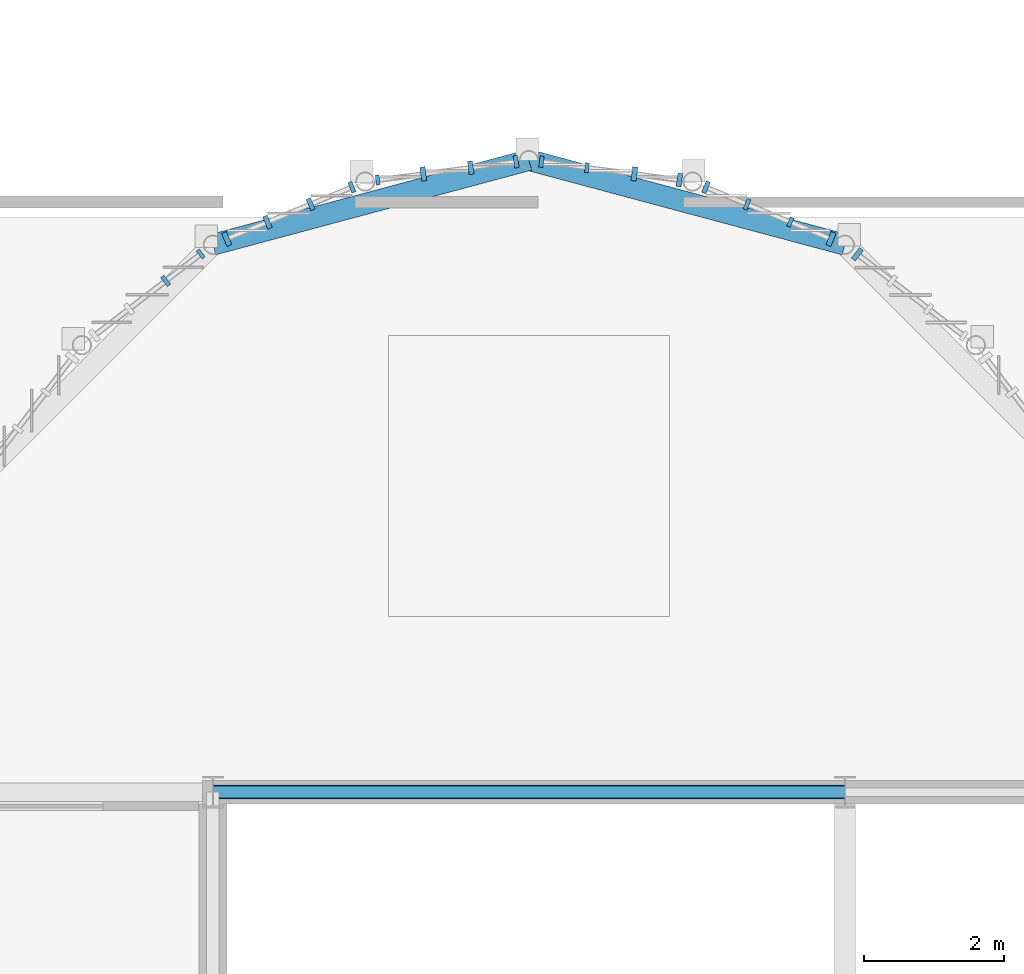
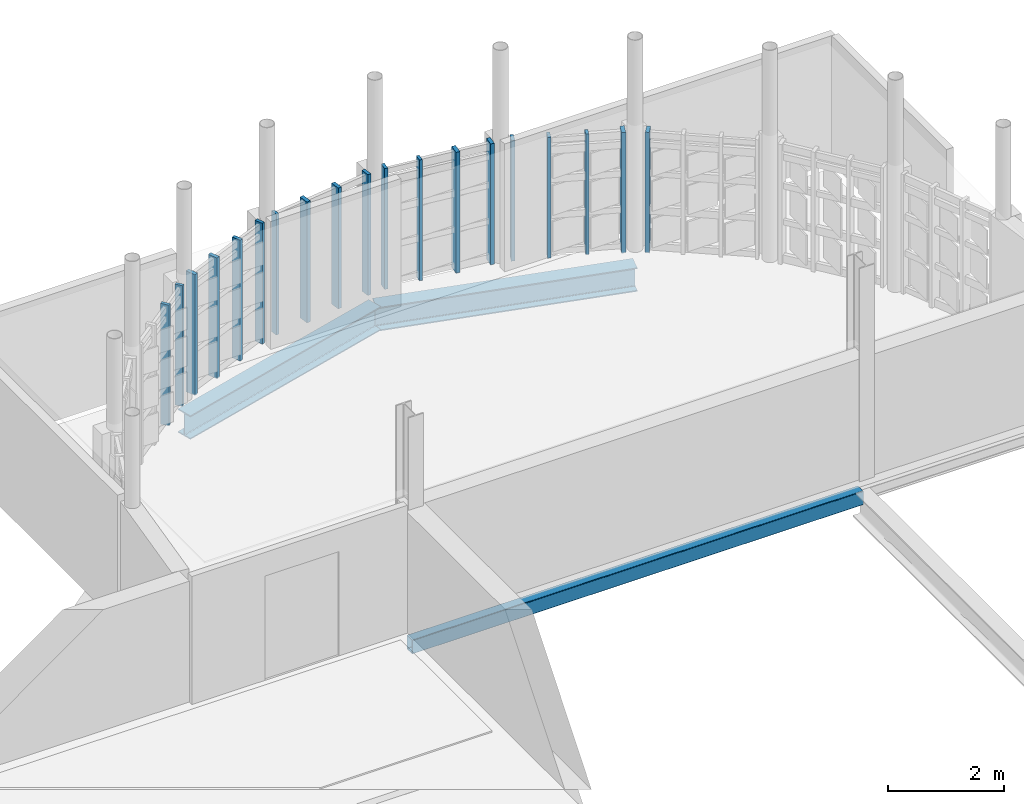
# One storey, part 13 of 44: 19 members, 3 beams, 6 elements without a shape of their own.
"""IFC4 building model written with IfcOpenShell, lengths in metres."""

from ifc_helpers import new_model, si_unit, direction, frame, origin, origin_2d, place, context, subcontext, project, spatial, rectangle, hollow_rectangle, i_section, extrude, material, material_profile, profile_set, type_object, element, aggregate, save


model = new_model("IFC4")

# Units and contexts
model_context = context("Model", 3, precision=1e-05, world=origin(), true_north=direction((0.0, 1.0)))
body_context = subcontext(model_context, "Body", "Model", "MODEL_VIEW")
ifc_project = project(units=[si_unit("LENGTHUNIT", "METRE"), si_unit("AREAUNIT", "SQUARE_METRE"), si_unit("VOLUMEUNIT", "CUBIC_METRE"), si_unit("PLANEANGLEUNIT", "RADIAN"), si_unit("MASSUNIT", "GRAM", prefix="KILO")], contexts=[model_context])

# Site, building, storey
site_placement = place(None, origin())
site = spatial("IfcSite", under=ifc_project, at=site_placement, CompositionType="ELEMENT")
building_placement = place(site_placement, origin())
building = spatial("IfcBuilding", under=site, at=building_placement, Name="Serraforn Aerial Cableway Station", CompositionType="ELEMENT")
storey_placement = place(building_placement, frame((0.0, 0.0, 13.800048828125)))
storey = spatial("IfcBuildingStorey", under=building, at=storey_placement, Name="L03", CompositionType="ELEMENT", Elevation=13.800048828125)

# Beams
ifc_material_1 = material(Name="Steel S355J2", Category="steel")
ifc_material_profile_1 = material_profile(ifc_material_1, i_section(OverallWidth=0.300048828125, OverallDepth=0.5, WebThickness=0.011962890625, FlangeThickness=0.02294921875, FilletRadius=0.027099609375, at=origin_2d()), Name="HEA 500")
ifc_profile_set_1 = profile_set([ifc_material_profile_1], Name="Steel S355J2")
beam_type_1 = type_object("IfcBeamType", Name="BM-ST-HEA500", PredefinedType="USERDEFINED", material=ifc_profile_set_1)
for number, where, z_axis, x_axis, name in (
    (1, (54.60009765625, 49.794189453125, -0.545166015625), (0.965923723713, 0.258826891896, 0.0), (-0.258826891896, 0.965923723713, 0.0), "Apse Ring Girder L03-3"),
    (2, (59.10009765625, 51.0, -0.545166015625), (0.965923723713, -0.258826891896, 0.0), (0.258826891896, 0.965923723713, 0.0), "Apse Ring Girder L03-4"),
):
    element("IfcBeam", number, at=place(storey_placement, frame(where, z_axis=z_axis, x_axis=x_axis)), inside=storey, type_object=beam_type_1, Name=name, ObjectType="GIRDER", PredefinedType="USERDEFINED", context=body_context, shape_type="SweptSolid", body=[
        extrude(i_section(OverallWidth=0.300048828125, OverallDepth=0.5, WebThickness=0.011962890625, FlangeThickness=0.02294921875, FilletRadius=0.027099609375, at=origin_2d()), origin(), (0.0, 0.0, 1.0), 4.65869140625),
    ])
ifc_material_profile_2 = material_profile(ifc_material_1, hollow_rectangle(XDim=0.199951171875, YDim=0.300048828125, WallThickness=0.012451171875, InnerFilletRadius=0.012451171875, OuterFilletRadius=0.02490234375, at=origin_2d()), Name="RHS 300x200x12.5")
ifc_profile_set_2 = profile_set([ifc_material_profile_2], Name="Steel S355J2")
beam_type_2 = type_object("IfcBeamType", Name="BM-ST-RHS300", PredefinedType="SPANDREL", material=ifc_profile_set_2)
beam_placement = place(storey_placement, frame((54.60009765625, 42.0, -0.469970703125), z_axis=(1.0, 0.0, 0.0), x_axis=(0.0, 1.0, 0.0)))
element("IfcBeam", 3, at=beam_placement, inside=storey, type_object=beam_type_2, Name="Grid Girder X CV L03 Y4-4", PredefinedType="SPANDREL", context=body_context, shape_type="SweptSolid", body=[
    extrude(hollow_rectangle(XDim=0.199951171875, YDim=0.300048828125, WallThickness=0.012451171875, InnerFilletRadius=0.012451171875, OuterFilletRadius=0.02490234375, at=origin_2d()), origin(), (0.0, 0.0, 1.0), 9.0),
])

# Curtain wall, member
ifc_material_2 = material(Name="Anodised bronze unitised curtain wall")
curtain_wall_type_1 = type_object("IfcCurtainWallType", Name="CW-SYS-23", PredefinedType="USERDEFINED", material=ifc_material_2)
curtain_wall_1_placement = place(storey_placement, origin())
curtain_wall_1 = element("IfcCurtainWall", 4, at=curtain_wall_1_placement, inside=storey, type_object=curtain_wall_type_1, Name="Unitised Curtain Wall CW-AP-L03-R4", ObjectType="UNITISED CURTAIN WALL", PredefinedType="USERDEFINED")
ifc_material_3 = material(Name="Anodised bronze extruded aluminium", Category="aluminium")
ifc_material_profile_3 = material_profile(ifc_material_3, rectangle(XDim=0.054931640625, YDim=0.139892578125, at=origin_2d()), Name="CW MULLION 55x140")
ifc_profile_set_3 = profile_set([ifc_material_profile_3], Name="Anodised bronze extruded aluminium")
member_type_1 = type_object("IfcMemberType", Name="CW-MUL-1", PredefinedType="MULLION", material=ifc_profile_set_3)
member_1_placement = place(storey_placement, frame((54.427978515625, 49.662109375, 0.0), z_axis=(0.0, 0.0, 1.0), x_axis=(-0.793362901671, -0.608748968173, 0.0)))
member_1 = element("IfcMember", 5, at=member_1_placement, type_object=member_type_1, Name="Curtain Wall Mullion CW-AP-L03-R4-M1", PredefinedType="MULLION", context=body_context, shape_type="SweptSolid", body=[
    extrude(rectangle(XDim=0.054931640625, YDim=0.139892578125, at=origin_2d()), origin(), (0.0, 0.0, 1.0), 2.550048828125),
])

curtain_wall_type_2 = type_object("IfcCurtainWallType", Name="CW-SYS-25", PredefinedType="USERDEFINED", material=ifc_material_2)
curtain_wall_2_placement = place(storey_placement, origin())
curtain_wall_2 = element("IfcCurtainWall", 6, at=curtain_wall_2_placement, inside=storey, type_object=curtain_wall_type_2, Name="Unitised Curtain Wall CW-AP-L03-R6", ObjectType="UNITISED CURTAIN WALL", PredefinedType="USERDEFINED")
member_2_placement = place(storey_placement, frame((56.94775390625, 50.716552734375, 0.0), z_axis=(0.0, 0.0, 1.0), x_axis=(-0.991438659417, -0.130573292114, 0.0)))
member_2 = element("IfcMember", 7, at=member_2_placement, type_object=member_type_1, Name="Curtain Wall Mullion CW-AP-L03-R6-M4", PredefinedType="MULLION", context=body_context, shape_type="SweptSolid", body=[
    extrude(rectangle(XDim=0.054931640625, YDim=0.139892578125, at=origin_2d()), origin(), (0.0, 0.0, 1.0), 2.550048828125),
])

curtain_wall_type_3 = type_object("IfcCurtainWallType", Name="CW-SYS-26", PredefinedType="USERDEFINED", material=ifc_material_2)
curtain_wall_3_placement = place(storey_placement, origin())
curtain_wall_3 = element("IfcCurtainWall", 8, at=curtain_wall_3_placement, inside=storey, type_object=curtain_wall_type_3, Name="Unitised Curtain Wall CW-AP-L03-R7", ObjectType="UNITISED CURTAIN WALL", PredefinedType="USERDEFINED")
member_3_placement = place(storey_placement, frame((59.926513671875, 50.89111328125, 0.0), z_axis=(0.0, 0.0, 1.0), x_axis=(-0.991438659417, 0.130573292114, 0.0)))
member_3 = element("IfcMember", 9, at=member_3_placement, type_object=member_type_1, Name="Curtain Wall Mullion CW-AP-L03-R7-M3", PredefinedType="MULLION", context=body_context, shape_type="SweptSolid", body=[
    extrude(rectangle(XDim=0.054931640625, YDim=0.139892578125, at=origin_2d()), origin(), (0.0, 0.0, 1.0), 2.550048828125),
])

curtain_wall_type_4 = type_object("IfcCurtainWallType", Name="CW-SYS-27", PredefinedType="USERDEFINED", material=ifc_material_2)
curtain_wall_4_placement = place(storey_placement, origin())
curtain_wall_4 = element("IfcCurtainWall", 10, at=curtain_wall_4_placement, inside=storey, type_object=curtain_wall_type_4, Name="Unitised Curtain Wall CW-AP-L03-R8", ObjectType="UNITISED CURTAIN WALL", PredefinedType="USERDEFINED")
member_4_placement = place(storey_placement, frame((62.822265625, 50.116455078125, 0.0), z_axis=(0.0, 0.0, 1.0), x_axis=(-0.923886823721, 0.382665829353, 0.0)))
member_4 = element("IfcMember", 11, at=member_4_placement, type_object=member_type_1, Name="Curtain Wall Mullion CW-AP-L03-R8-M2", PredefinedType="MULLION", context=body_context, shape_type="SweptSolid", body=[
    extrude(rectangle(XDim=0.054931640625, YDim=0.139892578125, at=origin_2d()), origin(), (0.0, 0.0, 1.0), 2.550048828125),
])

# Member
ifc_material_profile_4 = material_profile(ifc_material_3, rectangle(XDim=0.06005859375, YDim=0.159912109375, at=origin_2d()), Name="CW MULLION 60x160")
ifc_profile_set_4 = profile_set([ifc_material_profile_4], Name="Anodised bronze extruded aluminium")
member_type_2 = type_object("IfcMemberType", Name="CW-MUL-2", PredefinedType="MULLION", material=ifc_profile_set_4)
member_5_placement = place(storey_placement, frame((53.9287109375, 49.279052734375, 0.0), z_axis=(0.0, 0.0, 1.0), x_axis=(-0.793362901671, -0.608748968173, 0.0)))
member_5 = element("IfcMember", 12, at=member_5_placement, type_object=member_type_2, Name="Curtain Wall Mullion CW-AP-L03-R4-M2", PredefinedType="MULLION", context=body_context, shape_type="SweptSolid", body=[
    extrude(rectangle(XDim=0.06005859375, YDim=0.159912109375, at=origin_2d()), origin(), (0.0, 0.0, 1.0), 2.550048828125),
])

aggregate(curtain_wall_1, [member_1, member_5])

# Curtain wall, member
curtain_wall_type_5 = type_object("IfcCurtainWallType", Name="CW-SYS-24", PredefinedType="USERDEFINED", material=ifc_material_2)
curtain_wall_5_placement = place(storey_placement, origin())
curtain_wall_5 = element("IfcCurtainWall", 13, at=curtain_wall_5_placement, inside=storey, type_object=curtain_wall_type_5, Name="Unitised Curtain Wall CW-AP-L03-R5", ObjectType="UNITISED CURTAIN WALL", PredefinedType="USERDEFINED")
member_6_placement = place(storey_placement, frame((56.580078125, 50.6142578125, 0.0), z_axis=(0.0, 0.0, 1.0), x_axis=(-0.923886823721, -0.382665829353, 0.0)))
member_6 = element("IfcMember", 14, at=member_6_placement, type_object=member_type_2, Name="Curtain Wall Mullion CW-AP-L03-R5-M1", PredefinedType="MULLION", context=body_context, shape_type="SweptSolid", body=[
    extrude(rectangle(XDim=0.06005859375, YDim=0.159912109375, at=origin_2d()), origin(), (0.0, 0.0, 1.0), 2.550048828125),
])

# Member
member_7_placement = place(storey_placement, frame((59.279541015625, 50.976318359375, 0.0), z_axis=(0.0, 0.0, 1.0), x_axis=(-0.991438659417, 0.130573292114, 0.0)))
member_7 = element("IfcMember", 15, at=member_7_placement, type_object=member_type_2, Name="Curtain Wall Mullion CW-AP-L03-R7-M4", PredefinedType="MULLION", context=body_context, shape_type="SweptSolid", body=[
    extrude(rectangle(XDim=0.06005859375, YDim=0.159912109375, at=origin_2d()), origin(), (0.0, 0.0, 1.0), 2.550048828125),
])

member_8_placement = place(storey_placement, frame((62.207275390625, 50.37109375, 0.0), z_axis=(0.0, 0.0, 1.0), x_axis=(-0.923886823721, 0.382665829353, 0.0)))
member_8 = element("IfcMember", 16, at=member_8_placement, type_object=member_type_2, Name="Curtain Wall Mullion CW-AP-L03-R8-M3", PredefinedType="MULLION", context=body_context, shape_type="SweptSolid", body=[
    extrude(rectangle(XDim=0.06005859375, YDim=0.159912109375, at=origin_2d()), origin(), (0.0, 0.0, 1.0), 2.550048828125),
])

ifc_material_profile_5 = material_profile(ifc_material_3, rectangle(XDim=0.06494140625, YDim=0.175048828125, at=origin_2d()), Name="CW MULLION 65x175")
ifc_profile_set_5 = profile_set([ifc_material_profile_5], Name="Anodised bronze extruded aluminium")
member_type_3 = type_object("IfcMemberType", Name="CW-MUL-3", PredefinedType="MULLION", material=ifc_profile_set_5)
member_9_placement = place(storey_placement, frame((55.992919921875, 50.37109375, 0.0), z_axis=(0.0, 0.0, 1.0), x_axis=(-0.923886823721, -0.382665829353, 0.0)))
member_9 = element("IfcMember", 17, at=member_9_placement, type_object=member_type_3, Name="Curtain Wall Mullion CW-AP-L03-R5-M2", PredefinedType="MULLION", context=body_context, shape_type="SweptSolid", body=[
    extrude(rectangle(XDim=0.06494140625, YDim=0.175048828125, at=origin_2d()), origin(), (0.0, 0.0, 1.0), 2.550048828125),
])

member_10_placement = place(storey_placement, frame((58.91796875, 50.97607421875, 0.0), z_axis=(0.0, 0.0, 1.0), x_axis=(-0.991438659417, -0.130573292114, 0.0)))
member_10 = element("IfcMember", 18, at=member_10_placement, type_object=member_type_3, Name="Curtain Wall Mullion CW-AP-L03-R6-M1", PredefinedType="MULLION", context=body_context, shape_type="SweptSolid", body=[
    extrude(rectangle(XDim=0.06494140625, YDim=0.175048828125, at=origin_2d()), origin(), (0.0, 0.0, 1.0), 2.550048828125),
])

member_11_placement = place(storey_placement, frame((61.622314453125, 50.61328125, 0.0), z_axis=(0.0, 0.0, 1.0), x_axis=(-0.923886823721, 0.382665829353, 0.0)))
member_11 = element("IfcMember", 19, at=member_11_placement, type_object=member_type_3, Name="Curtain Wall Mullion CW-AP-L03-R8-M4", PredefinedType="MULLION", context=body_context, shape_type="SweptSolid", body=[
    extrude(rectangle(XDim=0.06494140625, YDim=0.175048828125, at=origin_2d()), origin(), (0.0, 0.0, 1.0), 2.550048828125),
])

ifc_material_profile_6 = material_profile(ifc_material_3, rectangle(XDim=0.070068359375, YDim=0.18994140625, at=origin_2d()), Name="CW MULLION 70x190")
ifc_profile_set_6 = profile_set([ifc_material_profile_6], Name="Anodised bronze extruded aluminium")
member_type_4 = type_object("IfcMemberType", Name="CW-MUL-4", PredefinedType="MULLION", material=ifc_profile_set_6)
member_12_placement = place(storey_placement, frame((55.377685546875, 50.116455078125, 0.0), z_axis=(0.0, 0.0, 1.0), x_axis=(-0.923886823721, -0.382665829353, 0.0)))
member_12 = element("IfcMember", 20, at=member_12_placement, type_object=member_type_4, Name="Curtain Wall Mullion CW-AP-L03-R5-M3", PredefinedType="MULLION", context=body_context, shape_type="SweptSolid", body=[
    extrude(rectangle(XDim=0.070068359375, YDim=0.18994140625, at=origin_2d()), origin(), (0.0, 0.0, 1.0), 2.550048828125),
])

member_13_placement = place(storey_placement, frame((58.273681640625, 50.89111328125, 0.0), z_axis=(0.0, 0.0, 1.0), x_axis=(-0.991438659417, -0.130573292114, 0.0)))
member_13 = element("IfcMember", 21, at=member_13_placement, type_object=member_type_4, Name="Curtain Wall Mullion CW-AP-L03-R6-M2", PredefinedType="MULLION", context=body_context, shape_type="SweptSolid", body=[
    extrude(rectangle(XDim=0.070068359375, YDim=0.18994140625, at=origin_2d()), origin(), (0.0, 0.0, 1.0), 2.550048828125),
])

member_14_placement = place(storey_placement, frame((61.244873046875, 50.717529296875, 0.0), z_axis=(0.0, 0.0, 1.0), x_axis=(-0.991438659417, 0.130573292114, 0.0)))
member_14 = element("IfcMember", 22, at=member_14_placement, type_object=member_type_4, Name="Curtain Wall Mullion CW-AP-L03-R7-M1", PredefinedType="MULLION", context=body_context, shape_type="SweptSolid", body=[
    extrude(rectangle(XDim=0.070068359375, YDim=0.18994140625, at=origin_2d()), origin(), (0.0, 0.0, 1.0), 2.550048828125),
])

# Curtain wall, member
curtain_wall_type_6 = type_object("IfcCurtainWallType", Name="CW-SYS-28", PredefinedType="USERDEFINED", material=ifc_material_2)
curtain_wall_6_placement = place(storey_placement, origin())
curtain_wall_6 = element("IfcCurtainWall", 23, at=curtain_wall_6_placement, inside=storey, type_object=curtain_wall_type_6, Name="Unitised Curtain Wall CW-AP-L03-R9", ObjectType="UNITISED CURTAIN WALL", PredefinedType="USERDEFINED")
member_15_placement = place(storey_placement, frame((63.778076171875, 49.65771484375, 0.0), z_axis=(0.0, 0.0, 1.0), x_axis=(-0.793362901671, 0.608748968173, 0.0)))
member_15 = element("IfcMember", 24, at=member_15_placement, type_object=member_type_4, Name="Curtain Wall Mullion CW-AP-L03-R9-M4", PredefinedType="MULLION", context=body_context, shape_type="SweptSolid", body=[
    extrude(rectangle(XDim=0.070068359375, YDim=0.18994140625, at=origin_2d()), origin(), (0.0, 0.0, 1.0), 2.550048828125),
])
aggregate(curtain_wall_6, [member_15])

# Member
ifc_material_profile_7 = material_profile(ifc_material_3, rectangle(XDim=0.074951171875, YDim=0.199951171875, at=origin_2d()), Name="CW MULLION 75x200")
ifc_profile_set_7 = profile_set([ifc_material_profile_7], Name="Anodised bronze extruded aluminium")
member_type_5 = type_object("IfcMemberType", Name="CW-MUL-5", PredefinedType="MULLION", material=ifc_profile_set_7)
member_16_placement = place(storey_placement, frame((54.797607421875, 49.8759765625, 0.0), z_axis=(0.0, 0.0, 1.0), x_axis=(-0.923886823721, -0.382665829353, 0.0)))
member_16 = element("IfcMember", 25, at=member_16_placement, type_object=member_type_5, Name="Curtain Wall Mullion CW-AP-L03-R5-M4", PredefinedType="MULLION", context=body_context, shape_type="SweptSolid", body=[
    extrude(rectangle(XDim=0.074951171875, YDim=0.199951171875, at=origin_2d()), origin(), (0.0, 0.0, 1.0), 2.550048828125),
])

aggregate(curtain_wall_5, [member_6, member_9, member_12, member_16])

member_17_placement = place(storey_placement, frame((57.596923828125, 50.802001953125, 0.0), z_axis=(0.0, 0.0, 1.0), x_axis=(-0.991438659417, -0.130573292114, 0.0)))
member_17 = element("IfcMember", 26, at=member_17_placement, type_object=member_type_5, Name="Curtain Wall Mullion CW-AP-L03-R6-M3", PredefinedType="MULLION", context=body_context, shape_type="SweptSolid", body=[
    extrude(rectangle(XDim=0.074951171875, YDim=0.199951171875, at=origin_2d()), origin(), (0.0, 0.0, 1.0), 2.550048828125),
])

aggregate(curtain_wall_2, [member_10, member_13, member_17, member_2])

member_18_placement = place(storey_placement, frame((60.60302734375, 50.802001953125, 0.0), z_axis=(0.0, 0.0, 1.0), x_axis=(-0.991438659417, 0.130573292114, 0.0)))
member_18 = element("IfcMember", 27, at=member_18_placement, type_object=member_type_5, Name="Curtain Wall Mullion CW-AP-L03-R7-M2", PredefinedType="MULLION", context=body_context, shape_type="SweptSolid", body=[
    extrude(rectangle(XDim=0.074951171875, YDim=0.199951171875, at=origin_2d()), origin(), (0.0, 0.0, 1.0), 2.550048828125),
])

aggregate(curtain_wall_3, [member_14, member_18, member_3, member_7])

member_19_placement = place(storey_placement, frame((63.402587890625, 49.8759765625, 0.0), z_axis=(0.0, 0.0, 1.0), x_axis=(-0.923886823721, 0.382665829353, 0.0)))
member_19 = element("IfcMember", 28, at=member_19_placement, type_object=member_type_5, Name="Curtain Wall Mullion CW-AP-L03-R8-M1", PredefinedType="MULLION", context=body_context, shape_type="SweptSolid", body=[
    extrude(rectangle(XDim=0.074951171875, YDim=0.199951171875, at=origin_2d()), origin(), (0.0, 0.0, 1.0), 2.550048828125),
])

aggregate(curtain_wall_4, [member_19, member_4, member_8, member_11])

save(model, "model.ifc")
